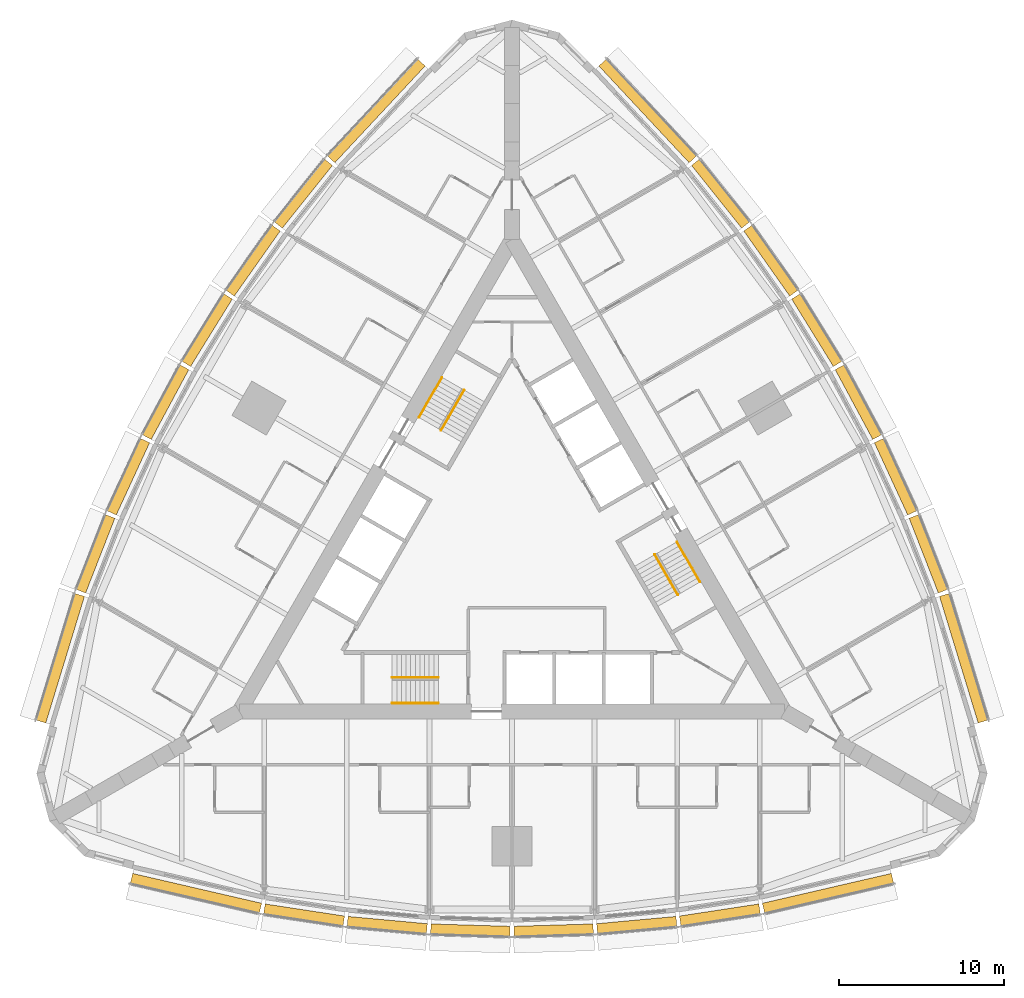
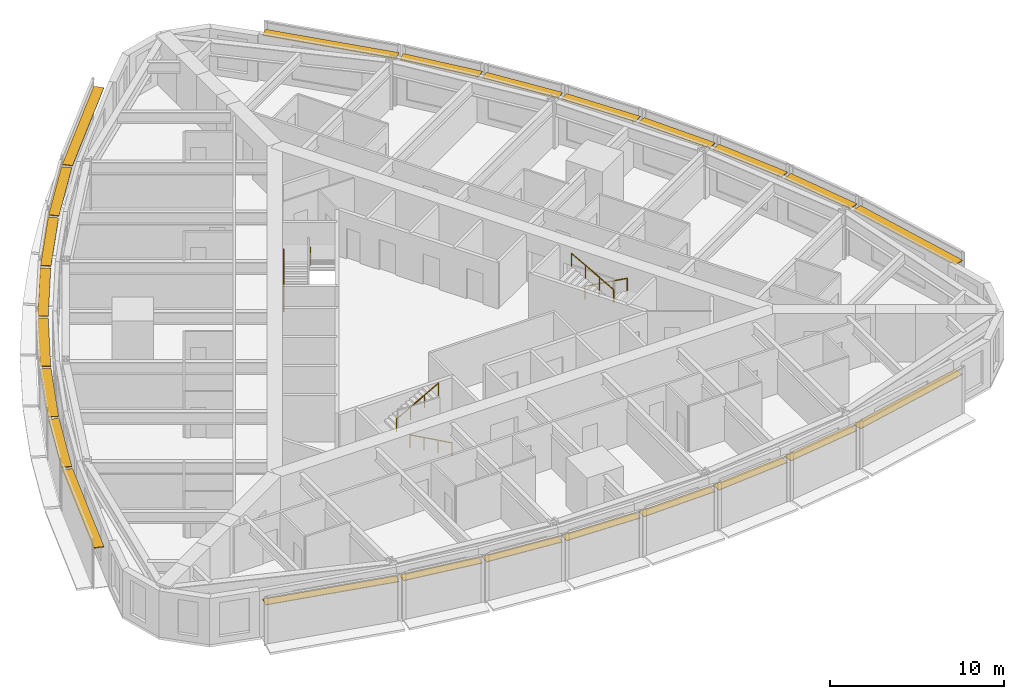
# One storey, part 14 of 14: 24 shading devices, 6 railings.
"""IFC4 building model written with IfcOpenShell, lengths in metres."""

from ifc_helpers import new_model, si_unit, direction, frame, origin, origin_2d, place, context, subcontext, project, spatial, rectangle, circle, extrude, material, type_object, element, save


model = new_model("IFC4")

# Units and contexts
model_context = context("Model", 3, precision=1e-05, world=origin(), true_north=direction((0.0, 1.0)))
body_context = subcontext(model_context, "Body", "Model", "MODEL_VIEW")
ifc_project = project(units=[si_unit("LENGTHUNIT", "METRE"), si_unit("AREAUNIT", "SQUARE_METRE"), si_unit("VOLUMEUNIT", "CUBIC_METRE"), si_unit("PLANEANGLEUNIT", "RADIAN"), si_unit("MASSUNIT", "GRAM", prefix="KILO")], contexts=[model_context])

# Site, building, storey
site_placement = place(None, origin())
site = spatial("IfcSite", under=ifc_project, at=site_placement, CompositionType="ELEMENT")
building_placement = place(site_placement, origin())
building = spatial("IfcBuilding", under=site, at=building_placement, Name="Trikona Tower", CompositionType="ELEMENT")
storey_placement = place(building_placement, frame((0.0, 0.0, 93.10009765625)))
storey = spatial("IfcBuildingStorey", under=building, at=storey_placement, Name="L24", CompositionType="ELEMENT", Elevation=93.10009765625)

# Shading devices
ifc_material_1 = material(Name="Aluminium louvre blade, pale anodised", Category="aluminium")
shading_device_type = type_object("IfcShadingDeviceType", Name="Cavity louvre 600", PredefinedType="USERDEFINED", material=ifc_material_1)
shading_device_1_placement = place(storey_placement, frame((-19.126220703125, -20.5234375, 2.77490234375), z_axis=(0.0, 0.0, 1.0), x_axis=(0.974277718622, -0.225350675607, 0.0)))
element("IfcShadingDevice", 1, at=shading_device_1_placement, inside=storey, type_object=shading_device_type, Name="Cavity louvre L24-00", ObjectType="LOUVRE", PredefinedType="USERDEFINED", context=body_context, shape_type="SweptSolid", body=[
    extrude(rectangle(XDim=8.01123046875, YDim=0.60009765625, at=origin_2d()), origin(), (0.0, 0.0, 1.0), 0.050048828125),
])
shading_device_2_placement = place(storey_placement, frame((-12.584228515625, -21.837158203125, 2.77490234375), z_axis=(0.0, 0.0, 1.0), x_axis=(0.988617896768, -0.150448177754, 0.0)))
element("IfcShadingDevice", 2, at=shading_device_2_placement, inside=storey, type_object=shading_device_type, Name="Cavity louvre L24-01", ObjectType="LOUVRE", PredefinedType="USERDEFINED", context=body_context, shape_type="SweptSolid", body=[
    extrude(rectangle(XDim=4.857666015625, YDim=0.60009765625, at=origin_2d()), origin(), (0.0, 0.0, 1.0), 0.050048828125),
])
shading_device_3_placement = place(storey_placement, frame((-7.55078125, -22.44970703125, 2.77490234375), z_axis=(0.0, 0.0, 1.0), x_axis=(0.995858098326, -0.090921108655, 0.0)))
element("IfcShadingDevice", 3, at=shading_device_3_placement, inside=storey, type_object=shading_device_type, Name="Cavity louvre L24-02", ObjectType="LOUVRE", PredefinedType="USERDEFINED", context=body_context, shape_type="SweptSolid", body=[
    extrude(rectangle(XDim=4.82080078125, YDim=0.60009765625, at=origin_2d()), origin(), (0.0, 0.0, 1.0), 0.050048828125),
])
for number, where, z_axis, x_axis, name in (
    (4, (-2.51708984375, -22.756103515625, 2.77490234375), (0.0, 0.0, 1.0), (0.999537048889, -0.030425119525, 0.0), "Cavity louvre L24-03"),
    (5, (2.51708984375, -22.756103515625, 2.77490234375), (0.0, 0.0, 1.0), (0.999537048889, 0.030425119525, 0.0), "Cavity louvre L24-04"),
):
    element("IfcShadingDevice", number, at=place(storey_placement, frame(where, z_axis=z_axis, x_axis=x_axis)), inside=storey, type_object=shading_device_type, Name=name, ObjectType="LOUVRE", PredefinedType="USERDEFINED", context=body_context, shape_type="SweptSolid", body=[
        extrude(rectangle(XDim=4.80224609375, YDim=0.60009765625, at=origin_2d()), origin(), (0.0, 0.0, 1.0), 0.050048828125),
    ])
shading_device_4_placement = place(storey_placement, frame((7.55078125, -22.44970703125, 2.77490234375), z_axis=(0.0, 0.0, 1.0), x_axis=(0.995858098326, 0.090921108655, 0.0)))
element("IfcShadingDevice", 6, at=shading_device_4_placement, inside=storey, type_object=shading_device_type, Name="Cavity louvre L24-05", ObjectType="LOUVRE", PredefinedType="USERDEFINED", context=body_context, shape_type="SweptSolid", body=[
    extrude(rectangle(XDim=4.82080078125, YDim=0.60009765625, at=origin_2d()), origin(), (0.0, 0.0, 1.0), 0.050048828125),
])
shading_device_5_placement = place(storey_placement, frame((12.584228515625, -21.837158203125, 2.77490234375), z_axis=(0.0, 0.0, 1.0), x_axis=(0.988617896768, 0.150448177754, 0.0)))
element("IfcShadingDevice", 7, at=shading_device_5_placement, inside=storey, type_object=shading_device_type, Name="Cavity louvre L24-06", ObjectType="LOUVRE", PredefinedType="USERDEFINED", context=body_context, shape_type="SweptSolid", body=[
    extrude(rectangle(XDim=4.857666015625, YDim=0.60009765625, at=origin_2d()), origin(), (0.0, 0.0, 1.0), 0.050048828125),
])
for number, where, z_axis, x_axis, name in (
    (8, (19.126220703125, -20.5234375, 2.77490234375), (0.0, 0.0, 1.0), (0.974277718622, 0.225350675607, 0.0), "Cavity louvre L24-07"),
    (9, (27.3369140625, -6.302001953125, 2.77490234375), (0.0, 0.0, 1.0), (-0.291979449475, 0.956424592471, 0.0), "Cavity louvre L24-12"),
):
    element("IfcShadingDevice", number, at=place(storey_placement, frame(where, z_axis=z_axis, x_axis=x_axis)), inside=storey, type_object=shading_device_type, Name=name, ObjectType="LOUVRE", PredefinedType="USERDEFINED", context=body_context, shape_type="SweptSolid", body=[
        extrude(rectangle(XDim=8.01123046875, YDim=0.60009765625, at=origin_2d()), origin(), (0.0, 0.0, 1.0), 0.050048828125),
    ])
shading_device_6_placement = place(storey_placement, frame((25.20361328125, 0.020263671875, 2.77490234375), z_axis=(0.0, 0.0, 1.0), x_axis=(-0.364008876551, 0.931395478726, 0.0)))
element("IfcShadingDevice", 10, at=shading_device_6_placement, inside=storey, type_object=shading_device_type, Name="Cavity louvre L24-13", ObjectType="LOUVRE", PredefinedType="USERDEFINED", context=body_context, shape_type="SweptSolid", body=[
    extrude(rectangle(XDim=4.857666015625, YDim=0.60009765625, at=origin_2d()), origin(), (0.0, 0.0, 1.0), 0.050048828125),
])
shading_device_7_placement = place(storey_placement, frame((23.217529296875, 4.685546875, 2.77490234375), z_axis=(0.0, 0.0, 1.0), x_axis=(-0.41919381307, 0.907896771161, 0.0)))
element("IfcShadingDevice", 11, at=shading_device_7_placement, inside=storey, type_object=shading_device_type, Name="Cavity louvre L24-14", ObjectType="LOUVRE", PredefinedType="USERDEFINED", context=body_context, shape_type="SweptSolid", body=[
    extrude(rectangle(XDim=4.82080078125, YDim=0.60009765625, at=origin_2d()), origin(), (0.0, 0.0, 1.0), 0.050048828125),
])
for number, where, z_axis, x_axis, name in (
    (12, (20.966064453125, 9.1982421875, 2.77490234375), (0.0, 0.0, 1.0), (-0.473422672721, 0.880835383572, 0.0), "Cavity louvre L24-15"),
    (13, (18.448974609375, 13.557861328125, 2.77490234375), (0.0, 0.0, 1.0), (-0.526118935114, 0.85041099835, 0.0), "Cavity louvre L24-16"),
):
    element("IfcShadingDevice", number, at=place(storey_placement, frame(where, z_axis=z_axis, x_axis=x_axis)), inside=storey, type_object=shading_device_type, Name=name, ObjectType="LOUVRE", PredefinedType="USERDEFINED", context=body_context, shape_type="SweptSolid", body=[
        extrude(rectangle(XDim=4.80224609375, YDim=0.60009765625, at=origin_2d()), origin(), (0.0, 0.0, 1.0), 0.050048828125),
    ])
shading_device_8_placement = place(storey_placement, frame((15.666748046875, 17.76416015625, 2.77490234375), z_axis=(0.0, 0.0, 1.0), x_axis=(-0.576661909499, 0.816982889743, 0.0)))
element("IfcShadingDevice", 14, at=shading_device_8_placement, inside=storey, type_object=shading_device_type, Name="Cavity louvre L24-17", ObjectType="LOUVRE", PredefinedType="USERDEFINED", context=body_context, shape_type="SweptSolid", body=[
    extrude(rectangle(XDim=4.82080078125, YDim=0.60009765625, at=origin_2d()), origin(), (0.0, 0.0, 1.0), 0.050048828125),
])
shading_device_9_placement = place(storey_placement, frame((12.619384765625, 21.81689453125, 2.77490234375), z_axis=(0.0, 0.0, 1.0), x_axis=(-0.624603618277, 0.780941944087, 0.0)))
element("IfcShadingDevice", 15, at=shading_device_9_placement, inside=storey, type_object=shading_device_type, Name="Cavity louvre L24-18", ObjectType="LOUVRE", PredefinedType="USERDEFINED", context=body_context, shape_type="SweptSolid", body=[
    extrude(rectangle(XDim=4.857666015625, YDim=0.60009765625, at=origin_2d()), origin(), (0.0, 0.0, 1.0), 0.050048828125),
])
for number, where, z_axis, x_axis, name in (
    (16, (8.210693359375, 26.825439453125, 2.77490234375), (0.0, 0.0, 1.0), (-0.682298269147, 0.731073916864, 0.0), "Cavity louvre L24-19"),
    (17, (-8.210693359375, 26.825439453125, 2.77490234375), (0.0, 0.0, 1.0), (-0.682298269147, -0.731073916864, 0.0), "Cavity louvre L24-24"),
):
    element("IfcShadingDevice", number, at=place(storey_placement, frame(where, z_axis=z_axis, x_axis=x_axis)), inside=storey, type_object=shading_device_type, Name=name, ObjectType="LOUVRE", PredefinedType="USERDEFINED", context=body_context, shape_type="SweptSolid", body=[
        extrude(rectangle(XDim=8.01123046875, YDim=0.60009765625, at=origin_2d()), origin(), (0.0, 0.0, 1.0), 0.050048828125),
    ])
shading_device_10_placement = place(storey_placement, frame((-12.619384765625, 21.81689453125, 2.77490234375), z_axis=(0.0, 0.0, 1.0), x_axis=(-0.624603618277, -0.780941944087, 0.0)))
element("IfcShadingDevice", 18, at=shading_device_10_placement, inside=storey, type_object=shading_device_type, Name="Cavity louvre L24-25", ObjectType="LOUVRE", PredefinedType="USERDEFINED", context=body_context, shape_type="SweptSolid", body=[
    extrude(rectangle(XDim=4.857666015625, YDim=0.60009765625, at=origin_2d()), origin(), (0.0, 0.0, 1.0), 0.050048828125),
])
shading_device_11_placement = place(storey_placement, frame((-15.666748046875, 17.76416015625, 2.77490234375), z_axis=(0.0, 0.0, 1.0), x_axis=(-0.576661909499, -0.816982889743, 0.0)))
element("IfcShadingDevice", 19, at=shading_device_11_placement, inside=storey, type_object=shading_device_type, Name="Cavity louvre L24-26", ObjectType="LOUVRE", PredefinedType="USERDEFINED", context=body_context, shape_type="SweptSolid", body=[
    extrude(rectangle(XDim=4.82080078125, YDim=0.60009765625, at=origin_2d()), origin(), (0.0, 0.0, 1.0), 0.050048828125),
])
for number, where, z_axis, x_axis, name in (
    (20, (-18.448974609375, 13.557861328125, 2.77490234375), (0.0, 0.0, 1.0), (-0.526118935114, -0.85041099835, 0.0), "Cavity louvre L24-27"),
    (21, (-20.966064453125, 9.1982421875, 2.77490234375), (0.0, 0.0, 1.0), (-0.473422672721, -0.880835383572, 0.0), "Cavity louvre L24-28"),
):
    element("IfcShadingDevice", number, at=place(storey_placement, frame(where, z_axis=z_axis, x_axis=x_axis)), inside=storey, type_object=shading_device_type, Name=name, ObjectType="LOUVRE", PredefinedType="USERDEFINED", context=body_context, shape_type="SweptSolid", body=[
        extrude(rectangle(XDim=4.80224609375, YDim=0.60009765625, at=origin_2d()), origin(), (0.0, 0.0, 1.0), 0.050048828125),
    ])
shading_device_12_placement = place(storey_placement, frame((-23.217529296875, 4.685546875, 2.77490234375), z_axis=(0.0, 0.0, 1.0), x_axis=(-0.41919381307, -0.907896771161, 0.0)))
element("IfcShadingDevice", 22, at=shading_device_12_placement, inside=storey, type_object=shading_device_type, Name="Cavity louvre L24-29", ObjectType="LOUVRE", PredefinedType="USERDEFINED", context=body_context, shape_type="SweptSolid", body=[
    extrude(rectangle(XDim=4.82080078125, YDim=0.60009765625, at=origin_2d()), origin(), (0.0, 0.0, 1.0), 0.050048828125),
])
shading_device_13_placement = place(storey_placement, frame((-25.20361328125, 0.020263671875, 2.77490234375), z_axis=(0.0, 0.0, 1.0), x_axis=(-0.364008876551, -0.931395478726, 0.0)))
element("IfcShadingDevice", 23, at=shading_device_13_placement, inside=storey, type_object=shading_device_type, Name="Cavity louvre L24-30", ObjectType="LOUVRE", PredefinedType="USERDEFINED", context=body_context, shape_type="SweptSolid", body=[
    extrude(rectangle(XDim=4.857666015625, YDim=0.60009765625, at=origin_2d()), origin(), (0.0, 0.0, 1.0), 0.050048828125),
])
shading_device_14_placement = place(storey_placement, frame((-27.3369140625, -6.302001953125, 2.77490234375), z_axis=(0.0, 0.0, 1.0), x_axis=(-0.291979449475, -0.956424592471, 0.0)))
element("IfcShadingDevice", 24, at=shading_device_14_placement, inside=storey, type_object=shading_device_type, Name="Cavity louvre L24-31", ObjectType="LOUVRE", PredefinedType="USERDEFINED", context=body_context, shape_type="SweptSolid", body=[
    extrude(rectangle(XDim=8.01123046875, YDim=0.60009765625, at=origin_2d()), origin(), (0.0, 0.0, 1.0), 0.050048828125),
])

# Railings
ifc_material_2 = material(Name="Stainless steel handrail", Category="steel")
railing_type = type_object("IfcRailingType", Name="Stair handrail", PredefinedType="HANDRAIL", material=ifc_material_2)
railing_1_placement = place(storey_placement, frame((-4.449951171875, -9.016357421875, 0.154296875)))
element("IfcRailing", 25, at=railing_1_placement, inside=storey, type_object=railing_type, Name="Stair handrail A L24 1", PredefinedType="HANDRAIL", context=body_context, shape_type="SweptSolid", body=[
    extrude(circle(Radius=0.02392578125, at=origin_2d()), frame((0.0, 0.0, 0.8759765625), z_axis=(-0.875471895205, 0.0, 0.483269035534), x_axis=(0.0, -1.0, 0.0)), (0.0, 0.0, 1.0), 3.1982421875),
    extrude(circle(Radius=0.02099609375, at=origin_2d()), origin(), (0.0, 0.0, 1.0), 0.851806640625),
    extrude(circle(Radius=0.02099609375, at=origin_2d()), frame((-0.933349609375, 0.0, 0.51513671875)), (0.0, 0.0, 1.0), 0.851806640625),
    extrude(circle(Radius=0.02099609375, at=origin_2d()), frame((-1.86669921875, 0.0, 1.030517578125)), (0.0, 0.0, 1.0), 0.851806640625),
    extrude(circle(Radius=0.02099609375, at=origin_2d()), frame((-2.800048828125, 0.0, 1.545654296875)), (0.0, 0.0, 1.0), 0.851806640625),
])
railing_2_placement = place(storey_placement, frame((-7.25, -7.46630859375, 1.8544921875)))
element("IfcRailing", 26, at=railing_2_placement, inside=storey, type_object=railing_type, Name="Stair handrail A L24 2", PredefinedType="HANDRAIL", context=body_context, shape_type="SweptSolid", body=[
    extrude(circle(Radius=0.02392578125, at=origin_2d()), frame((0.0, 0.0, 0.8759765625), z_axis=(0.875504190374, 0.0, 0.483210526207), x_axis=(0.0, 1.0, 0.0)), (0.0, 0.0, 1.0), 3.1982421875),
    extrude(circle(Radius=0.02099609375, at=origin_2d()), origin(), (0.0, 0.0, 1.0), 0.851806640625),
    extrude(circle(Radius=0.02099609375, at=origin_2d()), frame((0.933349609375, 0.0, 0.51513671875)), (0.0, 0.0, 1.0), 0.851806640625),
    extrude(circle(Radius=0.02099609375, at=origin_2d()), frame((1.86669921875, 0.0, 1.0302734375)), (0.0, 0.0, 1.0), 0.851806640625),
    extrude(circle(Radius=0.02099609375, at=origin_2d()), frame((2.800048828125, 0.0, 1.54541015625)), (0.0, 0.0, 1.0), 0.851806640625),
])
railing_3_placement = place(storey_placement, frame((9.9833984375, 0.740966796875, 0.154296875)))
element("IfcRailing", 27, at=railing_3_placement, inside=storey, type_object=railing_type, Name="Stair handrail B L24 1", PredefinedType="HANDRAIL", context=body_context, shape_type="SweptSolid", body=[
    extrude(circle(Radius=0.02392578125, at=origin_2d()), frame((0.0, 0.0, 0.8759765625), z_axis=(0.437691042731, -0.758211567396, 0.483261596012), x_axis=(0.866056369097, 0.49994636267, 0.0)), (0.0, 0.0, 1.0), 3.198486328125),
    extrude(circle(Radius=0.02099609375, at=origin_2d()), origin(), (0.0, 0.0, 1.0), 0.851806640625),
    extrude(circle(Radius=0.02099609375, at=origin_2d()), frame((0.466552734375, -0.808349609375, 0.51513671875)), (0.0, 0.0, 1.0), 0.851806640625),
    extrude(circle(Radius=0.02099609375, at=origin_2d()), frame((0.933349609375, -1.61669921875, 1.030517578125)), (0.0, 0.0, 1.0), 0.851806640625),
    extrude(circle(Radius=0.02099609375, at=origin_2d()), frame((1.39990234375, -2.425048828125, 1.545654296875)), (0.0, 0.0, 1.0), 0.851806640625),
])
railing_4_placement = place(storey_placement, frame((10.041015625, -2.458984375, 1.8544921875)))
element("IfcRailing", 28, at=railing_4_placement, inside=storey, type_object=railing_type, Name="Stair handrail B L24 2", PredefinedType="HANDRAIL", context=body_context, shape_type="SweptSolid", body=[
    extrude(circle(Radius=0.02392578125, at=origin_2d()), frame((0.0, 0.0, 0.8759765625), z_axis=(-0.437707188162, 0.758239536103, 0.483203087036), x_axis=(-0.866056369097, -0.49994636267, 0.0)), (0.0, 0.0, 1.0), 3.1982421875),
    extrude(circle(Radius=0.02099609375, at=origin_2d()), origin(), (0.0, 0.0, 1.0), 0.851806640625),
    extrude(circle(Radius=0.02099609375, at=origin_2d()), frame((-0.466552734375, 0.808349609375, 0.51513671875)), (0.0, 0.0, 1.0), 0.851806640625),
    extrude(circle(Radius=0.02099609375, at=origin_2d()), frame((-0.933349609375, 1.61669921875, 1.0302734375)), (0.0, 0.0, 1.0), 0.851806640625),
    extrude(circle(Radius=0.02099609375, at=origin_2d()), frame((-1.39990234375, 2.425048828125, 1.54541015625)), (0.0, 0.0, 1.0), 0.851806640625),
])
railing_5_placement = place(storey_placement, frame((-5.63330078125, 8.275390625, 0.154296875)))
element("IfcRailing", 29, at=railing_5_placement, inside=storey, type_object=railing_type, Name="Stair handrail C L24 1", PredefinedType="HANDRAIL", context=body_context, shape_type="SweptSolid", body=[
    extrude(circle(Radius=0.02392578125, at=origin_2d()), frame((0.0, 0.0, 0.8759765625), z_axis=(0.437716375571, 0.758179114435, 0.4832895664), x_axis=(-0.866034573852, 0.49998411664, 0.0)), (0.0, 0.0, 1.0), 3.1982421875),
    extrude(circle(Radius=0.02099609375, at=origin_2d()), origin(), (0.0, 0.0, 1.0), 0.851806640625),
    extrude(circle(Radius=0.02099609375, at=origin_2d()), frame((0.466552734375, 0.808349609375, 0.51513671875)), (0.0, 0.0, 1.0), 0.851806640625),
    extrude(circle(Radius=0.02099609375, at=origin_2d()), frame((0.933349609375, 1.616455078125, 1.030517578125)), (0.0, 0.0, 1.0), 0.851806640625),
    extrude(circle(Radius=0.02099609375, at=origin_2d()), frame((1.39990234375, 2.4248046875, 1.545654296875)), (0.0, 0.0, 1.0), 0.851806640625),
])
railing_6_placement = place(storey_placement, frame((-2.89111328125, 9.92529296875, 1.8544921875)))
element("IfcRailing", 30, at=railing_6_placement, inside=storey, type_object=railing_type, Name="Stair handrail C L24 2", PredefinedType="HANDRAIL", context=body_context, shape_type="SweptSolid", body=[
    extrude(circle(Radius=0.02392578125, at=origin_2d()), frame((0.0, 0.0, 0.8759765625), z_axis=(-0.437707188162, -0.758239536103, 0.483203087036), x_axis=(0.866056369097, -0.49994636267, 0.0)), (0.0, 0.0, 1.0), 3.1982421875),
    extrude(circle(Radius=0.02099609375, at=origin_2d()), origin(), (0.0, 0.0, 1.0), 0.851806640625),
    extrude(circle(Radius=0.02099609375, at=origin_2d()), frame((-0.466552734375, -0.808349609375, 0.51513671875)), (0.0, 0.0, 1.0), 0.851806640625),
    extrude(circle(Radius=0.02099609375, at=origin_2d()), frame((-0.933349609375, -1.61669921875, 1.0302734375)), (0.0, 0.0, 1.0), 0.851806640625),
    extrude(circle(Radius=0.02099609375, at=origin_2d()), frame((-1.39990234375, -2.425048828125, 1.54541015625)), (0.0, 0.0, 1.0), 0.851806640625),
])

save(model, "model.ifc")
